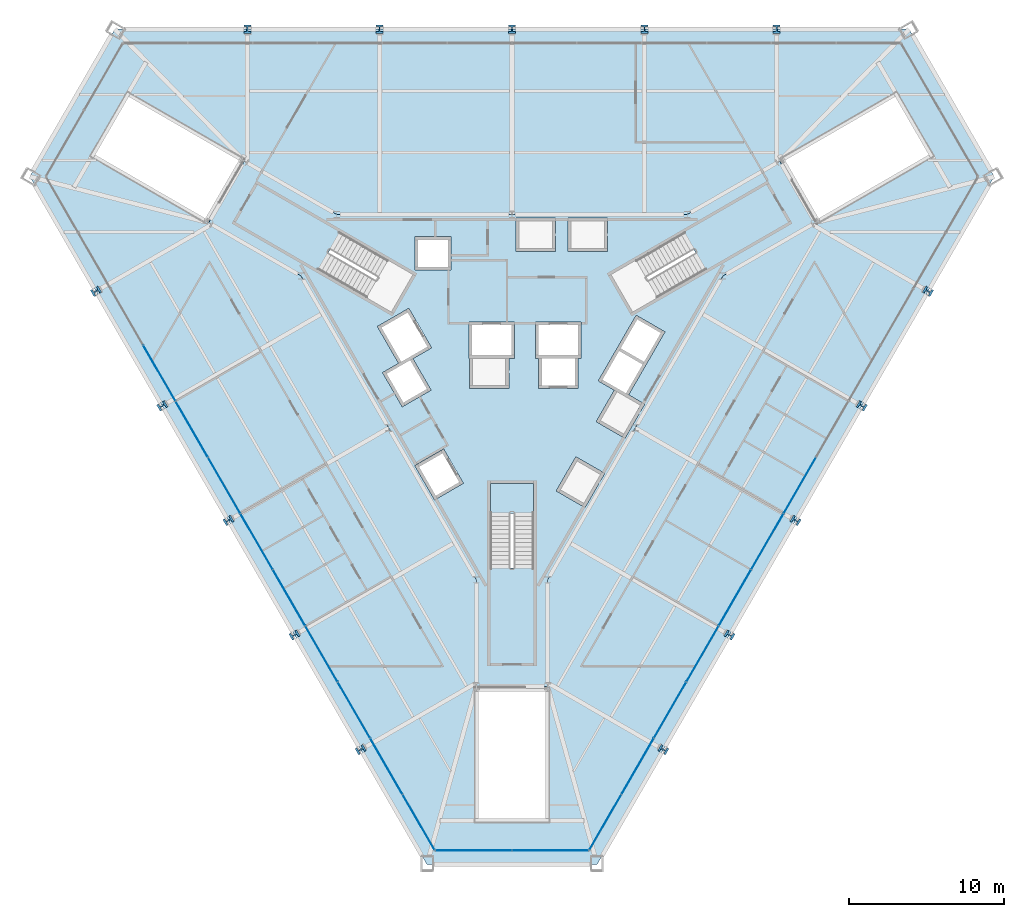
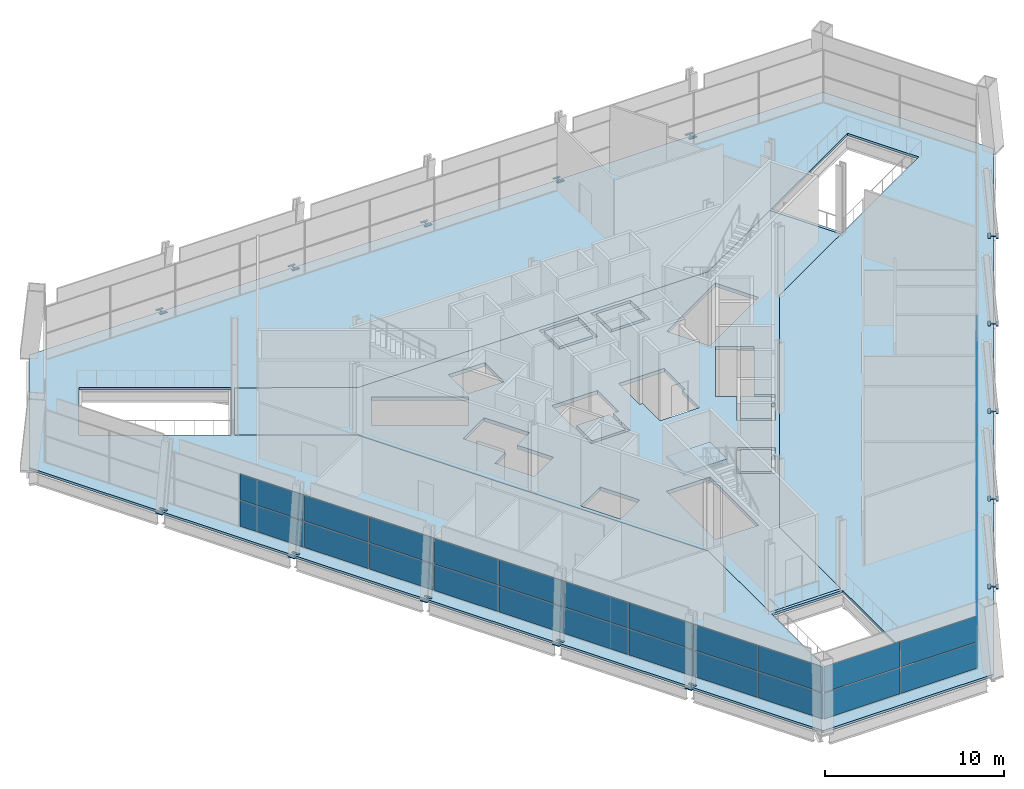
# One storey, part 11 of 18: 36 plates, 15 members, 3 slabs, 4 elements without a shape of their own.
"""IFC4 building model written with IfcOpenShell, lengths in metres."""

from ifc_helpers import new_model, si_unit, direction, frame, origin, origin_2d, place, context, subcontext, project, spatial, polyline, rectangle, i_section, outline, extrude, material, layer, layer_set, material_profile, profile_set, type_object, element, aggregate, save


model = new_model("IFC4")

# Units and contexts
model_context = context("Model", 3, precision=1e-05, world=origin(), true_north=direction((0.0, 1.0)))
body_context = subcontext(model_context, "Body", "Model", "MODEL_VIEW")
ifc_project = project(units=[si_unit("LENGTHUNIT", "METRE"), si_unit("AREAUNIT", "SQUARE_METRE"), si_unit("VOLUMEUNIT", "CUBIC_METRE"), si_unit("PLANEANGLEUNIT", "RADIAN"), si_unit("MASSUNIT", "GRAM", prefix="KILO")], contexts=[model_context])

# Site, building, storey
site_placement = place(None, origin())
site = spatial("IfcSite", under=ifc_project, at=site_placement, CompositionType="ELEMENT")
building_placement = place(site_placement, origin())
building = spatial("IfcBuilding", under=site, at=building_placement, Name="Verrane Prism Tower", CompositionType="ELEMENT")
storey_placement = place(building_placement, frame((0.0, 0.0, 32.0)))
storey = spatial("IfcBuildingStorey", under=building, at=storey_placement, Name="L05", CompositionType="ELEMENT", Elevation=32.0)

# Members
ifc_material_1 = material(Name="Steel A992", Category="steel")
ifc_material_profile = material_profile(ifc_material_1, i_section(OverallWidth=0.45458984375, OverallDepth=0.56884765625, WebThickness=0.077880859375, FlangeThickness=0.124755859375, FilletRadius=0.01513671875, at=origin_2d()), Name="W14x730")
ifc_profile_set = profile_set([ifc_material_profile], Name="Steel A992")
member_type = type_object("IfcMemberType", Name="Kink node W14x730", PredefinedType="COLLAR", material=ifc_profile_set)
member_1_placement = place(storey_placement, frame((17.109375, 21.168701171875, -0.030029296875), z_axis=(0.0, 0.0, 1.0), x_axis=(1.0, 0.0, 0.0)))
element("IfcMember", 1, at=member_1_placement, inside=storey, type_object=member_type, Name="Kink node PC1 L05", PredefinedType="COLLAR", context=body_context, shape_type="SweptSolid", body=[
    extrude(i_section(OverallWidth=0.45458984375, OverallDepth=0.56884765625, WebThickness=0.077880859375, FlangeThickness=0.124755859375, FilletRadius=0.01513671875, at=origin_2d()), origin(), (0.0, 0.0, 1.0), 0.06005859375),
])
for number, where, z_axis, x_axis, name in (
    (2, (8.559814453125, 21.1689453125, -0.02490234375), (0.0, 0.0, 1.0), (1.0, 0.0, 0.0), "Kink node PC1 L05"),
    (3, (0.0, 21.1689453125, -0.02490234375), (0.0, 0.0, 1.0), (1.0, 0.0, 0.0), "Kink node PC1 L05"),
    (4, (-8.559814453125, 21.1689453125, -0.02490234375), (0.0, 0.0, 1.0), (1.0, 0.0, 0.0), "Kink node PC1 L05"),
):
    element("IfcMember", number, at=place(storey_placement, frame(where, z_axis=z_axis, x_axis=x_axis)), inside=storey, type_object=member_type, Name=name, PredefinedType="COLLAR", context=body_context, shape_type="SweptSolid", body=[
        extrude(i_section(OverallWidth=0.45458984375, OverallDepth=0.56884765625, WebThickness=0.077880859375, FlangeThickness=0.124755859375, FilletRadius=0.01513671875, at=origin_2d()), origin(), (0.0, 0.0, 1.0), 0.0498046875),
    ])
for number, where, z_axis, x_axis, name in (
    (5, (-17.109375, 21.168701171875, -0.030029296875), (0.0, 0.0, 1.0), (1.0, 0.0, 0.0), "Kink node PC1 L05"),
    (6, (9.779296875, -25.398681640625, -0.030029296875), (0.0, 0.0, 1.0), (-0.5, -0.866025403784, 0.0), "Kink node PC1 L05"),
):
    element("IfcMember", number, at=place(storey_placement, frame(where, z_axis=z_axis, x_axis=x_axis)), inside=storey, type_object=member_type, Name=name, PredefinedType="COLLAR", context=body_context, shape_type="SweptSolid", body=[
        extrude(i_section(OverallWidth=0.45458984375, OverallDepth=0.56884765625, WebThickness=0.077880859375, FlangeThickness=0.124755859375, FilletRadius=0.01513671875, at=origin_2d()), origin(), (0.0, 0.0, 1.0), 0.06005859375),
    ])
for number, where, z_axis, x_axis, name in (
    (7, (14.05908203125, -17.9892578125, -0.02490234375), (0.0, 0.0, 1.0), (-0.5, -0.866025403784, 0.0), "Kink node PC1 L05"),
    (8, (18.3291015625, -10.58935546875, -0.02490234375), (0.0, 0.0, 1.0), (-0.5, -0.866025403784, 0.0), "Kink node PC1 L05"),
    (9, (22.60888671875, -3.1796875, -0.02490234375), (0.0, 0.0, 1.0), (-0.5, -0.866025403784, 0.0), "Kink node PC1 L05"),
):
    element("IfcMember", number, at=place(storey_placement, frame(where, z_axis=z_axis, x_axis=x_axis)), inside=storey, type_object=member_type, Name=name, PredefinedType="COLLAR", context=body_context, shape_type="SweptSolid", body=[
        extrude(i_section(OverallWidth=0.45458984375, OverallDepth=0.56884765625, WebThickness=0.077880859375, FlangeThickness=0.124755859375, FilletRadius=0.01513671875, at=origin_2d()), origin(), (0.0, 0.0, 1.0), 0.0498046875),
    ])
for number, where, z_axis, x_axis, name in (
    (10, (26.888671875, 4.230224609375, -0.030029296875), (0.0, 0.0, 1.0), (-0.5, -0.866025403784, 0.0), "Kink node PC1 L05"),
    (11, (-26.888671875, 4.230224609375, -0.030029296875), (0.0, 0.0, 1.0), (-0.5, 0.866025403784, 0.0), "Kink node PC1 L05"),
):
    element("IfcMember", number, at=place(storey_placement, frame(where, z_axis=z_axis, x_axis=x_axis)), inside=storey, type_object=member_type, Name=name, PredefinedType="COLLAR", context=body_context, shape_type="SweptSolid", body=[
        extrude(i_section(OverallWidth=0.45458984375, OverallDepth=0.56884765625, WebThickness=0.077880859375, FlangeThickness=0.124755859375, FilletRadius=0.01513671875, at=origin_2d()), origin(), (0.0, 0.0, 1.0), 0.06005859375),
    ])
for number, where, z_axis, x_axis, name in (
    (12, (-22.60888671875, -3.1796875, -0.02490234375), (0.0, 0.0, 1.0), (-0.5, 0.866025403784, 0.0), "Kink node PC1 L05"),
    (13, (-18.3291015625, -10.58935546875, -0.02490234375), (0.0, 0.0, 1.0), (-0.5, 0.866025403784, 0.0), "Kink node PC1 L05"),
    (14, (-14.05908203125, -17.9892578125, -0.02490234375), (0.0, 0.0, 1.0), (-0.5, 0.866025403784, 0.0), "Kink node PC1 L05"),
):
    element("IfcMember", number, at=place(storey_placement, frame(where, z_axis=z_axis, x_axis=x_axis)), inside=storey, type_object=member_type, Name=name, PredefinedType="COLLAR", context=body_context, shape_type="SweptSolid", body=[
        extrude(i_section(OverallWidth=0.45458984375, OverallDepth=0.56884765625, WebThickness=0.077880859375, FlangeThickness=0.124755859375, FilletRadius=0.01513671875, at=origin_2d()), origin(), (0.0, 0.0, 1.0), 0.0498046875),
    ])
member_2_placement = place(storey_placement, frame((-9.779296875, -25.398681640625, -0.030029296875), z_axis=(0.0, 0.0, 1.0), x_axis=(-0.5, 0.866025403784, 0.0)))
element("IfcMember", 15, at=member_2_placement, inside=storey, type_object=member_type, Name="Kink node PC1 L05", PredefinedType="COLLAR", context=body_context, shape_type="SweptSolid", body=[
    extrude(i_section(OverallWidth=0.45458984375, OverallDepth=0.56884765625, WebThickness=0.077880859375, FlangeThickness=0.124755859375, FilletRadius=0.01513671875, at=origin_2d()), origin(), (0.0, 0.0, 1.0), 0.06005859375),
])

# Curtain wall, plates
ifc_material_2 = material(Name="Aluminium and glass curtain wall", Category="aluminium")
ifc_layer_1 = layer(ifc_material_2, 0.199951171875)
ifc_layer_set_1 = layer_set([ifc_layer_1], Name="CWB-1 retail curtain wall")
curtain_wall_type = type_object("IfcCurtainWallType", Name="CWB-1 retail curtain wall", PredefinedType="NOTDEFINED", material=ifc_layer_set_1)
curtain_wall_1_placement = place(storey_placement, origin())
curtain_wall_1 = element("IfcCurtainWall", 16, at=curtain_wall_1_placement, inside=storey, type_object=curtain_wall_type, Name="Retail curtain wall L05 4", PredefinedType="NOTDEFINED")
ifc_material_3 = material(Name="Glass double glazed low-e", Category="glass")
ifc_layer_2 = layer(ifc_material_3, 0.028076171875)
ifc_layer_set_2 = layer_set([ifc_layer_2], Name="CWB-P 28 mm low-e glass panel")
plate_type = type_object("IfcPlateType", Name="CWB-P 28 mm low-e glass panel", PredefinedType="CURTAIN_PANEL", material=ifc_layer_set_2)
plate_1_placement = place(storey_placement, frame((-22.79345703125, -1.060546875, 0.06005859375), z_axis=(0.0, 0.0, 1.0), x_axis=(0.50000011897, -0.866025335097, 0.0)))
plate_1 = element("IfcPlate", 17, at=plate_1_placement, type_object=plate_type, Name="CWB54 panel 4.1", PredefinedType="CURTAIN_PANEL", context=body_context, shape_type="SweptSolid", body=[
    extrude(rectangle(XDim=4.13134765625, YDim=0.028076171875, at=origin_2d()), origin(), (0.0, 0.0, 1.0), 1.7548828125),
])
plate_2_placement = place(storey_placement, frame((-22.79345703125, -1.060546875, 1.875), z_axis=(0.0, 0.0, 1.0), x_axis=(0.50000011897, -0.866025335097, 0.0)))
plate_2 = element("IfcPlate", 18, at=plate_2_placement, type_object=plate_type, Name="CWB54 panel 4.2", PredefinedType="CURTAIN_PANEL", context=body_context, shape_type="SweptSolid", body=[
    extrude(rectangle(XDim=4.13134765625, YDim=0.028076171875, at=origin_2d()), origin(), (0.0, 0.0, 1.0), 1.7548828125),
])
plate_3_placement = place(storey_placement, frame((-20.69775390625, -4.6904296875, 0.06005859375), z_axis=(0.0, 0.0, 1.0), x_axis=(0.50000011897, -0.866025335097, 0.0)))
plate_3 = element("IfcPlate", 19, at=plate_3_placement, type_object=plate_type, Name="CWB54 panel 5.1", PredefinedType="CURTAIN_PANEL", context=body_context, shape_type="SweptSolid", body=[
    extrude(rectangle(XDim=4.13134765625, YDim=0.028076171875, at=origin_2d()), origin(), (0.0, 0.0, 1.0), 1.7548828125),
])
plate_4_placement = place(storey_placement, frame((-20.69775390625, -4.6904296875, 1.875), z_axis=(0.0, 0.0, 1.0), x_axis=(0.50000011897, -0.866025335097, 0.0)))
plate_4 = element("IfcPlate", 20, at=plate_4_placement, type_object=plate_type, Name="CWB54 panel 5.2", PredefinedType="CURTAIN_PANEL", context=body_context, shape_type="SweptSolid", body=[
    extrude(rectangle(XDim=4.13134765625, YDim=0.028076171875, at=origin_2d()), origin(), (0.0, 0.0, 1.0), 1.7548828125),
])
plate_5_placement = place(storey_placement, frame((-18.60205078125, -8.320068359375, 0.06005859375), z_axis=(0.0, 0.0, 1.0), x_axis=(0.50000011897, -0.866025335097, 0.0)))
plate_5 = element("IfcPlate", 21, at=plate_5_placement, type_object=plate_type, Name="CWB54 panel 6.1", PredefinedType="CURTAIN_PANEL", context=body_context, shape_type="SweptSolid", body=[
    extrude(rectangle(XDim=4.13134765625, YDim=0.028076171875, at=origin_2d()), origin(), (0.0, 0.0, 1.0), 1.7548828125),
])
plate_6_placement = place(storey_placement, frame((-18.60205078125, -8.320068359375, 1.875), z_axis=(0.0, 0.0, 1.0), x_axis=(0.50000011897, -0.866025335097, 0.0)))
plate_6 = element("IfcPlate", 22, at=plate_6_placement, type_object=plate_type, Name="CWB54 panel 6.2", PredefinedType="CURTAIN_PANEL", context=body_context, shape_type="SweptSolid", body=[
    extrude(rectangle(XDim=4.13134765625, YDim=0.028076171875, at=origin_2d()), origin(), (0.0, 0.0, 1.0), 1.7548828125),
])
plate_7_placement = place(storey_placement, frame((-16.506591796875, -11.949951171875, 0.06005859375), z_axis=(0.0, 0.0, 1.0), x_axis=(0.50000011897, -0.866025335097, 0.0)))
plate_7 = element("IfcPlate", 23, at=plate_7_placement, type_object=plate_type, Name="CWB54 panel 7.1", PredefinedType="CURTAIN_PANEL", context=body_context, shape_type="SweptSolid", body=[
    extrude(rectangle(XDim=4.13134765625, YDim=0.028076171875, at=origin_2d()), origin(), (0.0, 0.0, 1.0), 1.7548828125),
])
plate_8_placement = place(storey_placement, frame((-16.506591796875, -11.949951171875, 1.875), z_axis=(0.0, 0.0, 1.0), x_axis=(0.50000011897, -0.866025335097, 0.0)))
plate_8 = element("IfcPlate", 24, at=plate_8_placement, type_object=plate_type, Name="CWB54 panel 7.2", PredefinedType="CURTAIN_PANEL", context=body_context, shape_type="SweptSolid", body=[
    extrude(rectangle(XDim=4.13134765625, YDim=0.028076171875, at=origin_2d()), origin(), (0.0, 0.0, 1.0), 1.7548828125),
])
plate_9_placement = place(storey_placement, frame((-14.410888671875, -15.57958984375, 0.06005859375), z_axis=(0.0, 0.0, 1.0), x_axis=(0.50000011897, -0.866025335097, 0.0)))
plate_9 = element("IfcPlate", 25, at=plate_9_placement, type_object=plate_type, Name="CWB54 panel 8.1", PredefinedType="CURTAIN_PANEL", context=body_context, shape_type="SweptSolid", body=[
    extrude(rectangle(XDim=4.13134765625, YDim=0.028076171875, at=origin_2d()), origin(), (0.0, 0.0, 1.0), 1.7548828125),
])
plate_10_placement = place(storey_placement, frame((-14.410888671875, -15.57958984375, 1.875), z_axis=(0.0, 0.0, 1.0), x_axis=(0.50000011897, -0.866025335097, 0.0)))
plate_10 = element("IfcPlate", 26, at=plate_10_placement, type_object=plate_type, Name="CWB54 panel 8.2", PredefinedType="CURTAIN_PANEL", context=body_context, shape_type="SweptSolid", body=[
    extrude(rectangle(XDim=4.13134765625, YDim=0.028076171875, at=origin_2d()), origin(), (0.0, 0.0, 1.0), 1.7548828125),
])
plate_11_placement = place(storey_placement, frame((-12.315185546875, -19.20947265625, 0.06005859375), z_axis=(0.0, 0.0, 1.0), x_axis=(0.50000011897, -0.866025335097, 0.0)))
plate_11 = element("IfcPlate", 27, at=plate_11_placement, type_object=plate_type, Name="CWB54 panel 9.1", PredefinedType="CURTAIN_PANEL", context=body_context, shape_type="SweptSolid", body=[
    extrude(rectangle(XDim=4.13134765625, YDim=0.028076171875, at=origin_2d()), origin(), (0.0, 0.0, 1.0), 1.7548828125),
])
plate_12_placement = place(storey_placement, frame((-12.315185546875, -19.20947265625, 1.875), z_axis=(0.0, 0.0, 1.0), x_axis=(0.50000011897, -0.866025335097, 0.0)))
plate_12 = element("IfcPlate", 28, at=plate_12_placement, type_object=plate_type, Name="CWB54 panel 9.2", PredefinedType="CURTAIN_PANEL", context=body_context, shape_type="SweptSolid", body=[
    extrude(rectangle(XDim=4.13134765625, YDim=0.028076171875, at=origin_2d()), origin(), (0.0, 0.0, 1.0), 1.7548828125),
])
plate_13_placement = place(storey_placement, frame((-10.219482421875, -22.83935546875, 0.06005859375), z_axis=(0.0, 0.0, 1.0), x_axis=(0.50000011897, -0.866025335097, 0.0)))
plate_13 = element("IfcPlate", 29, at=plate_13_placement, type_object=plate_type, Name="CWB54 panel 10.1", PredefinedType="CURTAIN_PANEL", context=body_context, shape_type="SweptSolid", body=[
    extrude(rectangle(XDim=4.13134765625, YDim=0.028076171875, at=origin_2d()), origin(), (0.0, 0.0, 1.0), 1.7548828125),
])
plate_14_placement = place(storey_placement, frame((-10.219482421875, -22.83935546875, 1.875), z_axis=(0.0, 0.0, 1.0), x_axis=(0.50000011897, -0.866025335097, 0.0)))
plate_14 = element("IfcPlate", 30, at=plate_14_placement, type_object=plate_type, Name="CWB54 panel 10.2", PredefinedType="CURTAIN_PANEL", context=body_context, shape_type="SweptSolid", body=[
    extrude(rectangle(XDim=4.13134765625, YDim=0.028076171875, at=origin_2d()), origin(), (0.0, 0.0, 1.0), 1.7548828125),
])
plate_15_placement = place(storey_placement, frame((-8.123779296875, -26.468994140625, 0.06005859375), z_axis=(0.0, 0.0, 1.0), x_axis=(0.50000011897, -0.866025335097, 0.0)))
plate_15 = element("IfcPlate", 31, at=plate_15_placement, type_object=plate_type, Name="CWB54 panel 11.1", PredefinedType="CURTAIN_PANEL", context=body_context, shape_type="SweptSolid", body=[
    extrude(rectangle(XDim=4.13134765625, YDim=0.028076171875, at=origin_2d()), origin(), (0.0, 0.0, 1.0), 1.7548828125),
])
plate_16_placement = place(storey_placement, frame((-8.123779296875, -26.468994140625, 1.875), z_axis=(0.0, 0.0, 1.0), x_axis=(0.50000011897, -0.866025335097, 0.0)))
plate_16 = element("IfcPlate", 32, at=plate_16_placement, type_object=plate_type, Name="CWB54 panel 11.2", PredefinedType="CURTAIN_PANEL", context=body_context, shape_type="SweptSolid", body=[
    extrude(rectangle(XDim=4.13134765625, YDim=0.028076171875, at=origin_2d()), origin(), (0.0, 0.0, 1.0), 1.7548828125),
])
plate_17_placement = place(storey_placement, frame((-6.03564453125, -30.0859375, 0.06005859375), z_axis=(0.0, 0.0, 1.0), x_axis=(0.50000011897, -0.866025335097, 0.0)))
plate_17 = element("IfcPlate", 33, at=plate_17_placement, type_object=plate_type, Name="CWB54 panel 12.1", PredefinedType="CURTAIN_PANEL", context=body_context, shape_type="SweptSolid", body=[
    extrude(rectangle(XDim=4.101318359375, YDim=0.028076171875, at=origin_2d()), origin(), (0.0, 0.0, 1.0), 1.7548828125),
])
plate_18_placement = place(storey_placement, frame((-6.03564453125, -30.0859375, 1.875), z_axis=(0.0, 0.0, 1.0), x_axis=(0.50000011897, -0.866025335097, 0.0)))
plate_18 = element("IfcPlate", 34, at=plate_18_placement, type_object=plate_type, Name="CWB54 panel 12.2", PredefinedType="CURTAIN_PANEL", context=body_context, shape_type="SweptSolid", body=[
    extrude(rectangle(XDim=4.101318359375, YDim=0.028076171875, at=origin_2d()), origin(), (0.0, 0.0, 1.0), 1.7548828125),
])
aggregate(curtain_wall_1, [plate_1, plate_2, plate_3, plate_4, plate_5, plate_6, plate_7, plate_8, plate_9, plate_10, plate_11, plate_12, plate_13, plate_14, plate_15, plate_16, plate_17, plate_18])

curtain_wall_2_placement = place(storey_placement, origin())
curtain_wall_2 = element("IfcCurtainWall", 35, at=curtain_wall_2_placement, inside=storey, type_object=curtain_wall_type, Name="Retail curtain wall L05 5", PredefinedType="NOTDEFINED")
plate_19_placement = place(storey_placement, frame((-2.47509765625, -31.913818359375, 0.06005859375), z_axis=(0.0, 0.0, 1.0), x_axis=(1.0, 0.0, 0.0)))
plate_19 = element("IfcPlate", 36, at=plate_19_placement, type_object=plate_type, Name="CWB55 panel 1.1", PredefinedType="CURTAIN_PANEL", context=body_context, shape_type="SweptSolid", body=[
    extrude(rectangle(XDim=4.890380859375, YDim=0.028076171875, at=origin_2d()), origin(), (0.0, 0.0, 1.0), 1.7548828125),
])
plate_20_placement = place(storey_placement, frame((-2.47509765625, -31.913818359375, 1.875), z_axis=(0.0, 0.0, 1.0), x_axis=(1.0, 0.0, 0.0)))
plate_20 = element("IfcPlate", 37, at=plate_20_placement, type_object=plate_type, Name="CWB55 panel 1.2", PredefinedType="CURTAIN_PANEL", context=body_context, shape_type="SweptSolid", body=[
    extrude(rectangle(XDim=4.890380859375, YDim=0.028076171875, at=origin_2d()), origin(), (0.0, 0.0, 1.0), 1.7548828125),
])
plate_21_placement = place(storey_placement, frame((2.47509765625, -31.913818359375, 0.06005859375), z_axis=(0.0, 0.0, 1.0), x_axis=(1.0, 0.0, 0.0)))
plate_21 = element("IfcPlate", 38, at=plate_21_placement, type_object=plate_type, Name="CWB55 panel 2.1", PredefinedType="CURTAIN_PANEL", context=body_context, shape_type="SweptSolid", body=[
    extrude(rectangle(XDim=4.890380859375, YDim=0.028076171875, at=origin_2d()), origin(), (0.0, 0.0, 1.0), 1.7548828125),
])
plate_22_placement = place(storey_placement, frame((2.47509765625, -31.913818359375, 1.875), z_axis=(0.0, 0.0, 1.0), x_axis=(1.0, 0.0, 0.0)))
plate_22 = element("IfcPlate", 39, at=plate_22_placement, type_object=plate_type, Name="CWB55 panel 2.2", PredefinedType="CURTAIN_PANEL", context=body_context, shape_type="SweptSolid", body=[
    extrude(rectangle(XDim=4.890380859375, YDim=0.028076171875, at=origin_2d()), origin(), (0.0, 0.0, 1.0), 1.7548828125),
])
aggregate(curtain_wall_2, [plate_19, plate_20, plate_21, plate_22])

curtain_wall_3_placement = place(storey_placement, origin())
curtain_wall_3 = element("IfcCurtainWall", 40, at=curtain_wall_3_placement, inside=storey, type_object=curtain_wall_type, Name="Retail curtain wall L05 6", PredefinedType="NOTDEFINED")
plate_23_placement = place(storey_placement, frame((6.03564453125, -30.0859375, 0.06005859375), z_axis=(0.0, 0.0, 1.0), x_axis=(0.50000011897, 0.866025335097, 0.0)))
plate_23 = element("IfcPlate", 41, at=plate_23_placement, type_object=plate_type, Name="CWB56 panel 1.1", PredefinedType="CURTAIN_PANEL", context=body_context, shape_type="SweptSolid", body=[
    extrude(rectangle(XDim=4.101318359375, YDim=0.028076171875, at=origin_2d()), origin(), (0.0, 0.0, 1.0), 1.7548828125),
])
plate_24_placement = place(storey_placement, frame((6.03564453125, -30.0859375, 1.875), z_axis=(0.0, 0.0, 1.0), x_axis=(0.50000011897, 0.866025335097, 0.0)))
plate_24 = element("IfcPlate", 42, at=plate_24_placement, type_object=plate_type, Name="CWB56 panel 1.2", PredefinedType="CURTAIN_PANEL", context=body_context, shape_type="SweptSolid", body=[
    extrude(rectangle(XDim=4.101318359375, YDim=0.028076171875, at=origin_2d()), origin(), (0.0, 0.0, 1.0), 1.7548828125),
])
plate_25_placement = place(storey_placement, frame((8.123779296875, -26.468994140625, 0.06005859375), z_axis=(0.0, 0.0, 1.0), x_axis=(0.50000011897, 0.866025335097, 0.0)))
plate_25 = element("IfcPlate", 43, at=plate_25_placement, type_object=plate_type, Name="CWB56 panel 2.1", PredefinedType="CURTAIN_PANEL", context=body_context, shape_type="SweptSolid", body=[
    extrude(rectangle(XDim=4.13134765625, YDim=0.028076171875, at=origin_2d()), origin(), (0.0, 0.0, 1.0), 1.7548828125),
])
plate_26_placement = place(storey_placement, frame((8.123779296875, -26.468994140625, 1.875), z_axis=(0.0, 0.0, 1.0), x_axis=(0.50000011897, 0.866025335097, 0.0)))
plate_26 = element("IfcPlate", 44, at=plate_26_placement, type_object=plate_type, Name="CWB56 panel 2.2", PredefinedType="CURTAIN_PANEL", context=body_context, shape_type="SweptSolid", body=[
    extrude(rectangle(XDim=4.13134765625, YDim=0.028076171875, at=origin_2d()), origin(), (0.0, 0.0, 1.0), 1.7548828125),
])
plate_27_placement = place(storey_placement, frame((10.219482421875, -22.83935546875, 0.06005859375), z_axis=(0.0, 0.0, 1.0), x_axis=(0.50000011897, 0.866025335097, 0.0)))
plate_27 = element("IfcPlate", 45, at=plate_27_placement, type_object=plate_type, Name="CWB56 panel 3.1", PredefinedType="CURTAIN_PANEL", context=body_context, shape_type="SweptSolid", body=[
    extrude(rectangle(XDim=4.13134765625, YDim=0.028076171875, at=origin_2d()), origin(), (0.0, 0.0, 1.0), 1.7548828125),
])
plate_28_placement = place(storey_placement, frame((10.219482421875, -22.83935546875, 1.875), z_axis=(0.0, 0.0, 1.0), x_axis=(0.50000011897, 0.866025335097, 0.0)))
plate_28 = element("IfcPlate", 46, at=plate_28_placement, type_object=plate_type, Name="CWB56 panel 3.2", PredefinedType="CURTAIN_PANEL", context=body_context, shape_type="SweptSolid", body=[
    extrude(rectangle(XDim=4.13134765625, YDim=0.028076171875, at=origin_2d()), origin(), (0.0, 0.0, 1.0), 1.7548828125),
])
plate_29_placement = place(storey_placement, frame((12.315185546875, -19.20947265625, 0.06005859375), z_axis=(0.0, 0.0, 1.0), x_axis=(0.50000011897, 0.866025335097, 0.0)))
plate_29 = element("IfcPlate", 47, at=plate_29_placement, type_object=plate_type, Name="CWB56 panel 4.1", PredefinedType="CURTAIN_PANEL", context=body_context, shape_type="SweptSolid", body=[
    extrude(rectangle(XDim=4.13134765625, YDim=0.028076171875, at=origin_2d()), origin(), (0.0, 0.0, 1.0), 1.7548828125),
])
plate_30_placement = place(storey_placement, frame((12.315185546875, -19.20947265625, 1.875), z_axis=(0.0, 0.0, 1.0), x_axis=(0.50000011897, 0.866025335097, 0.0)))
plate_30 = element("IfcPlate", 48, at=plate_30_placement, type_object=plate_type, Name="CWB56 panel 4.2", PredefinedType="CURTAIN_PANEL", context=body_context, shape_type="SweptSolid", body=[
    extrude(rectangle(XDim=4.13134765625, YDim=0.028076171875, at=origin_2d()), origin(), (0.0, 0.0, 1.0), 1.7548828125),
])
plate_31_placement = place(storey_placement, frame((14.410888671875, -15.57958984375, 0.06005859375), z_axis=(0.0, 0.0, 1.0), x_axis=(0.50000011897, 0.866025335097, 0.0)))
plate_31 = element("IfcPlate", 49, at=plate_31_placement, type_object=plate_type, Name="CWB56 panel 5.1", PredefinedType="CURTAIN_PANEL", context=body_context, shape_type="SweptSolid", body=[
    extrude(rectangle(XDim=4.13134765625, YDim=0.028076171875, at=origin_2d()), origin(), (0.0, 0.0, 1.0), 1.7548828125),
])
plate_32_placement = place(storey_placement, frame((14.410888671875, -15.57958984375, 1.875), z_axis=(0.0, 0.0, 1.0), x_axis=(0.50000011897, 0.866025335097, 0.0)))
plate_32 = element("IfcPlate", 50, at=plate_32_placement, type_object=plate_type, Name="CWB56 panel 5.2", PredefinedType="CURTAIN_PANEL", context=body_context, shape_type="SweptSolid", body=[
    extrude(rectangle(XDim=4.13134765625, YDim=0.028076171875, at=origin_2d()), origin(), (0.0, 0.0, 1.0), 1.7548828125),
])
plate_33_placement = place(storey_placement, frame((16.506591796875, -11.949951171875, 0.06005859375), z_axis=(0.0, 0.0, 1.0), x_axis=(0.50000011897, 0.866025335097, 0.0)))
plate_33 = element("IfcPlate", 51, at=plate_33_placement, type_object=plate_type, Name="CWB56 panel 6.1", PredefinedType="CURTAIN_PANEL", context=body_context, shape_type="SweptSolid", body=[
    extrude(rectangle(XDim=4.13134765625, YDim=0.028076171875, at=origin_2d()), origin(), (0.0, 0.0, 1.0), 1.7548828125),
])
plate_34_placement = place(storey_placement, frame((16.506591796875, -11.949951171875, 1.875), z_axis=(0.0, 0.0, 1.0), x_axis=(0.50000011897, 0.866025335097, 0.0)))
plate_34 = element("IfcPlate", 52, at=plate_34_placement, type_object=plate_type, Name="CWB56 panel 6.2", PredefinedType="CURTAIN_PANEL", context=body_context, shape_type="SweptSolid", body=[
    extrude(rectangle(XDim=4.13134765625, YDim=0.028076171875, at=origin_2d()), origin(), (0.0, 0.0, 1.0), 1.7548828125),
])
plate_35_placement = place(storey_placement, frame((18.60205078125, -8.320068359375, 0.06005859375), z_axis=(0.0, 0.0, 1.0), x_axis=(0.50000011897, 0.866025335097, 0.0)))
plate_35 = element("IfcPlate", 53, at=plate_35_placement, type_object=plate_type, Name="CWB56 panel 7.1", PredefinedType="CURTAIN_PANEL", context=body_context, shape_type="SweptSolid", body=[
    extrude(rectangle(XDim=4.13134765625, YDim=0.028076171875, at=origin_2d()), origin(), (0.0, 0.0, 1.0), 1.7548828125),
])
plate_36_placement = place(storey_placement, frame((18.60205078125, -8.320068359375, 1.875), z_axis=(0.0, 0.0, 1.0), x_axis=(0.50000011897, 0.866025335097, 0.0)))
plate_36 = element("IfcPlate", 54, at=plate_36_placement, type_object=plate_type, Name="CWB56 panel 7.2", PredefinedType="CURTAIN_PANEL", context=body_context, shape_type="SweptSolid", body=[
    extrude(rectangle(XDim=4.13134765625, YDim=0.028076171875, at=origin_2d()), origin(), (0.0, 0.0, 1.0), 1.7548828125),
])
aggregate(curtain_wall_3, [plate_23, plate_24, plate_25, plate_26, plate_27, plate_28, plate_29, plate_30, plate_31, plate_32, plate_33, plate_34, plate_35, plate_36])

# Slabs
ifc_material_4 = material(Name="Concrete C35/45", Category="concrete")
ifc_layer_3 = layer(ifc_material_4, 0.159912109375)
ifc_layer_set_3 = layer_set([ifc_layer_3], Name="Composite floor slab")
slab_type_1 = type_object("IfcSlabType", Name="Composite floor slab", PredefinedType="FLOOR", material=ifc_layer_set_3)
slab_1_placement = place(storey_placement, frame((0.0, 0.0, -0.159912109375)))
element("IfcSlab", 55, at=slab_1_placement, inside=storey, type_object=slab_type_1, Name="Floor slab L05", PredefinedType="FLOOR", context=body_context, shape_type="SweptSolid", body=[
    extrude(outline(polyline([(-25.66748046875, 21.169921875), (25.66748046875, 21.169921875), (31.16748046875, 11.643798828125), (5.5, -32.813720703125), (-5.5, -32.813720703125), (-31.16748046875, 11.643798828125), (-25.66748046875, 21.169921875)]), holes=[polyline([(0.0, 9.199951171875), (-11.330078125, 9.199951171875), (-17.300048828125, 12.639892578125), (-19.60009765625, 8.659912109375), (-13.6298828125, 5.219970703125), (-7.969970703125, -4.60009765625), (-2.300048828125, -14.419921875), (-2.300048828125, -21.300048828125), (2.300048828125, -21.300048828125), (2.300048828125, -14.419921875), (7.969970703125, -4.60009765625), (13.6298828125, 5.219970703125), (19.60009765625, 8.659912109375), (17.300048828125, 12.639892578125), (11.330078125, 9.199951171875), (0.0, 9.199951171875)]), polyline([(17.4609375, 12.73681640625), (19.760986328125, 8.753173828125), (27.130859375, 13.008056640625), (24.830810546875, 16.991943359375), (17.4609375, 12.73681640625)]), polyline([(-27.130859375, 13.008056640625), (-19.760986328125, 8.753173828125), (-17.4609375, 12.73681640625), (-24.830810546875, 16.991943359375), (-27.130859375, 13.008056640625)]), polyline([(-2.300048828125, -30.0), (2.300048828125, -30.0), (2.300048828125, -21.489990234375), (-2.300048828125, -21.489990234375), (-2.300048828125, -30.0)])]), origin(), (0.0, 0.0, 1.0), 0.159912109375),
])
ifc_material_5 = material(Name="Concrete C40/50", Category="concrete")
ifc_layer_4 = layer(ifc_material_5, 0.25)
ifc_layer_set_4 = layer_set([ifc_layer_4], Name="Core floor slab 250 concrete C40/50")
slab_type_2 = type_object("IfcSlabType", Name="Core floor slab 250 concrete C40/50", PredefinedType="FLOOR", material=ifc_layer_set_4)
slab_2_placement = place(storey_placement, frame((0.0, 0.0, -0.25)))
element("IfcSlab", 56, at=slab_2_placement, inside=storey, type_object=slab_type_2, Name="Core floor L05", PredefinedType="FLOOR", context=body_context, shape_type="SweptSolid", body=[
    extrude(outline(polyline([(13.6298828125, 5.219970703125), (19.60009765625, 8.659912109375), (17.300048828125, 12.639892578125), (11.330078125, 9.199951171875), (0.0, 9.199951171875), (-11.330078125, 9.199951171875), (-17.300048828125, 12.639892578125), (-19.60009765625, 8.659912109375), (-13.6298828125, 5.219970703125), (-7.969970703125, -4.60009765625), (-2.300048828125, -14.419921875), (-2.300048828125, -21.300048828125), (2.300048828125, -21.300048828125), (2.300048828125, -14.419921875), (7.969970703125, -4.60009765625), (13.6298828125, 5.219970703125)]), holes=[polyline([(1.39990234375, -8.199951171875), (1.39990234375, -13.639892578125), (-1.39990234375, -13.639892578125), (-1.39990234375, -8.199951171875), (1.39990234375, -8.199951171875)]), polyline([(-3.139892578125, -8.180908203125), (-5.001953125, -9.256103515625), (-6.277099609375, -7.048095703125), (-4.4150390625, -5.972900390625), (-3.139892578125, -8.180908203125)]), polyline([(0.1650390625, 2.25), (0.1650390625, -0.10009765625), (-0.205078125, -0.10009765625), (-0.205078125, -0.89990234375), (-0.405029296875, -0.89990234375), (-0.405029296875, -0.10009765625), (-2.554931640625, -0.10009765625), (-2.554931640625, -1.85009765625), (-0.405029296875, -1.85009765625), (-0.405029296875, -1.050048828125), (-0.205078125, -1.050048828125), (-0.205078125, -2.050048828125), (-2.7548828125, -2.050048828125), (-2.7548828125, -0.10009765625), (-2.784912109375, -0.10009765625), (-2.784912109375, 2.25), (0.1650390625, 2.25)]), polyline([(-7.801025390625, 2.887939453125), (-12.512939453125, 5.60791015625), (-11.113037109375, 8.031982421875), (-6.40087890625, 5.31201171875), (-7.801025390625, 2.887939453125)]), polyline([(-6.284912109375, 5.610107421875), (-6.284912109375, 7.760009765625), (-3.93505859375, 7.760009765625), (-3.93505859375, 5.610107421875), (-6.284912109375, 5.610107421875)]), polyline([(2.81494140625, 7.9599609375), (2.614990234375, 7.9599609375), (2.614990234375, 8.760009765625), (0.465087890625, 8.760009765625), (0.465087890625, 7.010009765625), (2.614990234375, 7.010009765625), (2.614990234375, 7.81005859375), (2.81494140625, 7.81005859375), (2.81494140625, 6.81005859375), (0.264892578125, 6.81005859375), (0.264892578125, 8.9599609375), (2.81494140625, 8.9599609375), (2.81494140625, 7.9599609375)]), polyline([(5.991943359375, -7.541015625), (5.707763671875, -8.033447265625), (5.477294921875, -8.033447265625), (5.718994140625, -7.614990234375), (4.202880859375, -6.739990234375), (3.1279296875, -8.60205078125), (4.643798828125, -9.47705078125), (5.390869140625, -8.18359375), (5.62109375, -8.18359375), (4.717041015625, -9.75), (2.85498046875, -8.675048828125), (4.1298828125, -6.466064453125), (5.991943359375, -7.541015625)]), polyline([(1.72509765625, -2.050048828125), (1.72509765625, -0.10009765625), (1.52490234375, -0.10009765625), (1.52490234375, 2.25), (4.47509765625, 2.25), (4.47509765625, -0.10009765625), (4.27490234375, -0.10009765625), (4.27490234375, -2.050048828125), (1.72509765625, -2.050048828125)]), polyline([(11.113037109375, 8.031982421875), (12.512939453125, 5.60791015625), (7.801025390625, 2.887939453125), (6.40087890625, 5.31201171875), (11.113037109375, 8.031982421875)]), polyline([(3.824951171875, 7.010009765625), (5.97509765625, 7.010009765625), (5.97509765625, 7.81005859375), (6.175048828125, 7.81005859375), (6.175048828125, 6.81005859375), (3.625, 6.81005859375), (3.625, 8.9599609375), (6.175048828125, 8.9599609375), (6.175048828125, 7.9599609375), (5.97509765625, 7.9599609375), (5.97509765625, 8.760009765625), (3.824951171875, 8.760009765625), (3.824951171875, 7.010009765625)]), polyline([(-5.23095703125, -2.159912109375), (-7.093017578125, -3.235107421875), (-8.367919921875, -1.02587890625), (-7.3291015625, -0.426025390625), (-8.7041015625, 1.955078125), (-6.66796875, 3.1298828125), (-5.193115234375, 0.574951171875), (-6.406005859375, -0.125), (-5.23095703125, -2.159912109375)]), polyline([(6.614990234375, -2.162109375), (5.575927734375, -1.56201171875), (8.02587890625, 2.680908203125), (9.887939453125, 1.60595703125), (7.5380859375, -2.464111328125), (8.576904296875, -3.06396484375), (8.293212890625, -3.555419921875), (8.0625, -3.555419921875), (8.30419921875, -3.136962890625), (6.7880859375, -2.261962890625), (5.712890625, -4.1240234375), (7.228515625, -4.998779296875), (7.975830078125, -3.705322265625), (8.20654296875, -3.705322265625), (7.302001953125, -5.27197265625), (5.43994140625, -4.197021484375), (6.614990234375, -2.162109375)])]), origin(), (0.0, 0.0, 1.0), 0.25),
])

# Stair, slab
ifc_material_6 = material(Name="Concrete C40/50", Category="concrete")
stair_type = type_object("IfcStairType", Name="Exit stair 1300 dog-leg precast concrete C40/50", PredefinedType="HALF_TURN_STAIR", material=ifc_material_6)
stair_placement = place(storey_placement, origin())
stair = element("IfcStair", 57, at=stair_placement, inside=storey, type_object=stair_type, Name="Stair 3 L05", PredefinedType="HALF_TURN_STAIR")
ifc_material_7 = material(Name="Concrete C40/50", Category="concrete")
ifc_layer_5 = layer(ifc_material_7, 0.199951171875)
ifc_layer_set_5 = layer_set([ifc_layer_5], Name="Stair landing 200 precast concrete C40/50")
slab_type_3 = type_object("IfcSlabType", Name="Stair landing 200 precast concrete C40/50", PredefinedType="LANDING", material=ifc_layer_set_5)
slab_3_placement = place(storey_placement, frame((0.0, 0.0, 2.199951171875)))
slab_3 = element("IfcSlab", 58, at=slab_3_placement, type_object=slab_type_3, Name="Stair 3 landing 1", PredefinedType="LANDING", context=body_context, shape_type="SweptSolid", body=[
    extrude(outline(polyline([(1.39990234375, -10.1201171875), (1.39990234375, -8.199951171875), (-1.39990234375, -8.199951171875), (-1.39990234375, -10.1201171875), (1.39990234375, -10.1201171875)])), origin(), (0.0, 0.0, 1.0), 0.199951171875),
])
aggregate(stair, [slab_3])

save(model, "model.ifc")
